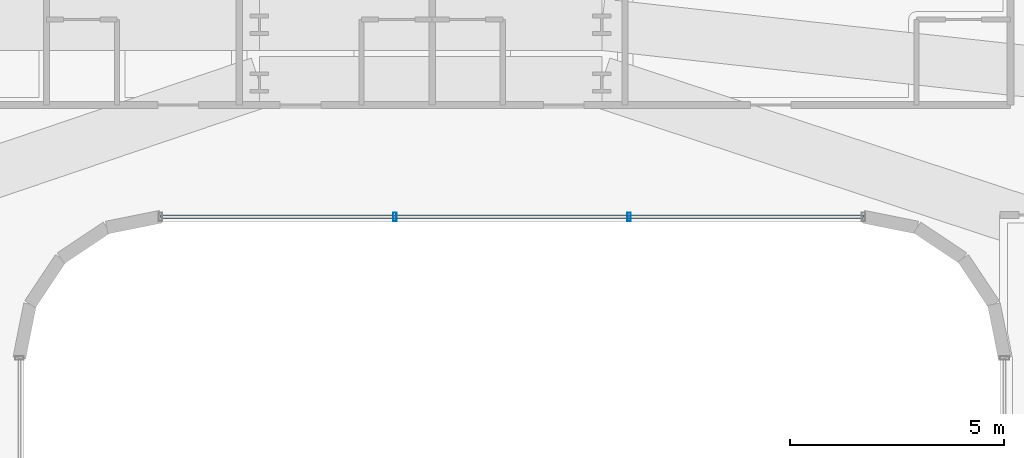
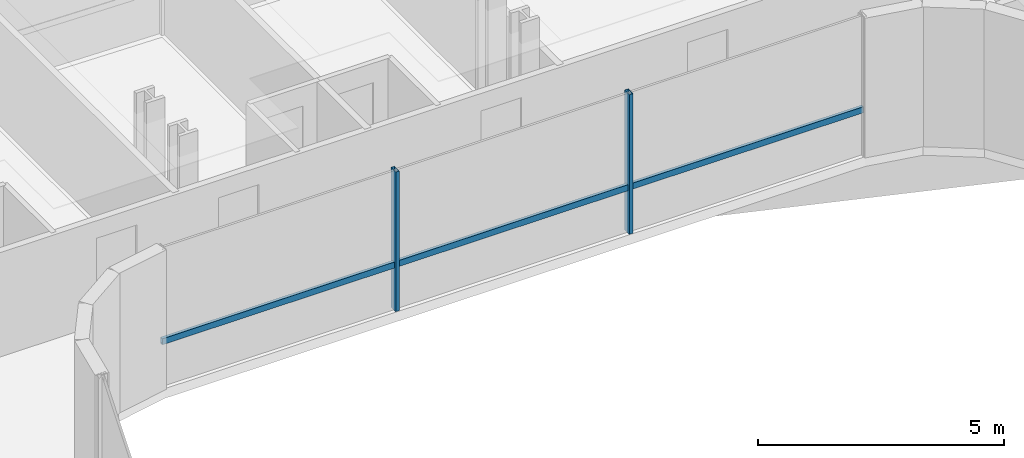
# One storey, part 18 of 50: 3 members, 1 element without a shape of its own.
"""IFC4 building model written with IfcOpenShell, lengths in metres."""

import ifcopenshell
import ifcopenshell.guid

model = None  # the IFC model being written
_history = None  # IfcOwnerHistory: only IFC2X3 demands one
_inside = {}  # id of a spatial element -> (the spatial element, [elements in it])
_under = {}  # id of a project, library or spatial element -> (it, [spatial elements below it])
_declared = {}  # id of a project -> (the project, [libraries it declares])
_typed = {}  # id of a type object -> (the type object, [elements of that type])
_made_of = {}  # id of a material, layer set ... -> (it, [elements and type objects made of it])


def new_model(schema):
    """Start an empty IFC model of exactly this schema.

    Asked for "IFC4X3", IfcOpenShell would pick the latest addendum, in which some entities
    have other attributes; the version numbers below select the first issue.
    IFC2X3 requires an IfcOwnerHistory on every rooted entity: one is made here for all.
    """
    global model, _history
    if schema == "IFC4X3":
        model = ifcopenshell.file(schema_version=(4, 3, 0, 0))
    else:
        model = ifcopenshell.file(schema=schema)
    _inside.clear()
    _under.clear()
    _declared.clear()
    _typed.clear()
    _made_of.clear()
    _history = None
    if model.schema == "IFC2X3":
        org = make("IfcOrganization", Name="unknown")
        user = make(
            "IfcPersonAndOrganization",
            ThePerson=make("IfcPerson", FamilyName="unknown"),
            TheOrganization=org,
        )
        app = make(
            "IfcApplication",
            ApplicationDeveloper=org,
            Version="unknown",
            ApplicationFullName="unknown",
            ApplicationIdentifier="unknown",
        )
        _history = make(
            "IfcOwnerHistory",
            OwningUser=user,
            OwningApplication=app,
            ChangeAction="ADDED",
            CreationDate=0,
        )
    return model


def make(cls, **values):
    """One entity of the class cls with the attributes given. An attribute that is None is left unset."""
    return model.create_entity(
        cls, **{name: value for name, value in values.items() if value is not None}
    )


def rooted(cls, **values):
    """An entity with a GlobalId (a new one), such as an element, a storey or a relation."""
    return make(cls, GlobalId=ifcopenshell.guid.new(), OwnerHistory=_history, **values)


def si_unit(unit_type, name, prefix=None):
    """IfcSIUnit, for example si_unit("LENGTHUNIT", "METRE", prefix="MILLI")."""
    return make("IfcSIUnit", UnitType=unit_type, Prefix=prefix, Name=name)


def assignment(units):
    """IfcUnitAssignment: the units of a project."""
    return None if units is None else make("IfcUnitAssignment", Units=units)


def point(xyz):
    """IfcCartesianPoint."""
    return None if xyz is None else make("IfcCartesianPoint", Coordinates=xyz)


def direction(xyz):
    """IfcDirection."""
    return None if xyz is None else make("IfcDirection", DirectionRatios=xyz)


def frame(location, z_axis=None, x_axis=None):
    """IfcAxis2Placement3D, a coordinate frame: its origin and axes. An axis left out is left unset."""
    return make(
        "IfcAxis2Placement3D",
        Location=point(location),
        Axis=direction(z_axis),
        RefDirection=direction(x_axis),
    )


def frame_2d(location, x_axis=None):
    """IfcAxis2Placement2D, a coordinate frame in the plane: its origin and x axis."""
    return make(
        "IfcAxis2Placement2D", Location=point(location), RefDirection=direction(x_axis)
    )


def origin():
    """The frame at (0, 0, 0) with its axes left unset."""
    return frame((0.0, 0.0, 0.0))


def origin_2d():
    """The frame at (0, 0) in the plane with its x axis left unset."""
    return frame_2d((0.0, 0.0))


def place(relative_to, where):
    """IfcLocalPlacement: puts the frame where relative to a parent placement (None: the world)."""
    return make(
        "IfcLocalPlacement", PlacementRelTo=relative_to, RelativePlacement=where
    )


def context(
    kind, dimensions, precision=None, world=None, true_north=None, identifier=None
):
    """IfcGeometricRepresentationContext, for example the 3D "Model" context."""
    return make(
        "IfcGeometricRepresentationContext",
        ContextIdentifier=identifier,
        ContextType=kind,
        CoordinateSpaceDimension=dimensions,
        Precision=precision,
        WorldCoordinateSystem=world,
        TrueNorth=true_north,
    )


def subcontext(parent, identifier, kind, view, scale=None):
    """IfcGeometricRepresentationSubContext, for example "Body" below "Model"."""
    return make(
        "IfcGeometricRepresentationSubContext",
        ContextIdentifier=identifier,
        ContextType=kind,
        ParentContext=parent,
        TargetScale=scale,
        TargetView=view,
    )


def project(units=None, contexts=None):
    """IfcProject with its units and contexts."""
    return rooted(
        "IfcProject",
        Name="project",
        RepresentationContexts=contexts,
        UnitsInContext=assignment(units),
    )


def spatial(cls, under=None, at=None, **own):
    """A site, building, storey or space (cls), placed at a placement, below another one or the project."""
    s = rooted(cls, ObjectPlacement=at, **own)
    if under is not None:
        _under.setdefault(under.id(), (under, []))[1].append(s)
    return s


def profile(cls, at=None, kind="AREA", **sizes):
    """A parametric profile (cls). Its sizes go by their IFC names, for example OverallWidth=200.0."""
    return make(cls, ProfileType=kind, Position=at, **sizes)


def hollow_rectangle(**sizes):
    """IfcRectangleHollowProfileDef."""
    return profile("IfcRectangleHollowProfileDef", **sizes)


def extrude(swept, where, along, depth):
    """IfcExtrudedAreaSolid: the profile swept, set in the frame where, extruded along a direction by depth."""
    return make(
        "IfcExtrudedAreaSolid",
        SweptArea=swept,
        Position=where,
        ExtrudedDirection=direction(along),
        Depth=depth,
    )


def shape(context_of_items, identifier, shape_type, items):
    """IfcShapeRepresentation: the items that make up one representation, for example the "Body"."""
    return make(
        "IfcShapeRepresentation",
        ContextOfItems=context_of_items,
        RepresentationIdentifier=identifier,
        RepresentationType=shape_type,
        Items=items,
    )


def source(mapping_origin, context_of_items, identifier, shape_type, items):
    """IfcRepresentationMap: a shape defined once, which mapped items show again and again."""
    return make(
        "IfcRepresentationMap",
        MappingOrigin=mapping_origin,
        MappedRepresentation=shape(context_of_items, identifier, shape_type, items),
    )


def transform(
    local_origin,
    x_axis=None,
    y_axis=None,
    z_axis=None,
    scale=None,
    scale2=None,
    scale3=None,
    uniform=True,
):
    """IfcCartesianTransformationOperator3D, or its non-uniform kind. x_axis, y_axis, z_axis: its Axis1, 2, 3."""
    if uniform:
        return make(
            "IfcCartesianTransformationOperator3D",
            Axis1=direction(x_axis),
            Axis2=direction(y_axis),
            LocalOrigin=point(local_origin),
            Scale=scale,
            Axis3=direction(z_axis),
        )
    return make(
        "IfcCartesianTransformationOperator3DnonUniform",
        Axis1=direction(x_axis),
        Axis2=direction(y_axis),
        LocalOrigin=point(local_origin),
        Scale=scale,
        Axis3=direction(z_axis),
        Scale2=scale2,
        Scale3=scale3,
    )


def mapped(mapping_source, mapping_target):
    """IfcMappedItem: shows the shape of a source again, moved by a transform."""
    return make(
        "IfcMappedItem", MappingSource=mapping_source, MappingTarget=mapping_target
    )


def material(Name=None, Category=None):
    """IfcMaterial."""
    return make("IfcMaterial", Name=Name, Category=Category)


def material_profile(
    of_material, cross_section, Name=None, Category=None, Priority=None
):
    """IfcMaterialProfile: a cross section and its material."""
    return make(
        "IfcMaterialProfile",
        Name=Name,
        Material=of_material,
        Profile=cross_section,
        Priority=Priority,
        Category=Category,
    )


def profile_set(profiles, Name=None, composite=None):
    """IfcMaterialProfileSet."""
    return make(
        "IfcMaterialProfileSet",
        Name=Name,
        MaterialProfiles=profiles,
        CompositeProfile=composite,
    )


def made_of(thing, what):
    """Note that an element or type object is made of a material, layer set ...; save() writes the relation."""
    if what is not None:
        _made_of.setdefault(what.id(), (what, []))[1].append(thing)
    return thing


def type_object(cls, material=None, **own):
    """A type object (cls), such as IfcWallType, which elements share."""
    return made_of(rooted(cls, **own), material)


def element(
    cls,
    number,
    at=None,
    inside=None,
    cuts=None,
    type_object=None,
    material=None,
    context=None,
    identifier="Body",
    shape_type=None,
    held_by="IfcProductDefinitionShape",
    body=None,
    shapes=None,
    **own,
):
    """One element of the class cls, such as IfcWall. Its Tag is "e" and its number.

    at: its placement. inside: the storey or other place that contains it. cuts: it is an
    opening in that element (IfcRelVoidsElement). A single representation is given by context,
    identifier, shape_type and body (its items); several are given by shapes. held_by: the class
    of the entity that holds the representations. save() writes the other relations.
    """
    e = rooted(cls, Tag="e%d" % number, ObjectPlacement=at, **own)
    if body is not None:
        shapes = [shape(context, identifier, shape_type, body)]
    if shapes is not None:
        e.Representation = make(held_by, Representations=shapes)
    if inside is not None:
        _inside.setdefault(inside.id(), (inside, []))[1].append(e)
    if cuts is not None:
        rooted(
            "IfcRelVoidsElement", RelatingBuildingElement=cuts, RelatedOpeningElement=e
        )
    if type_object is not None:
        _typed.setdefault(type_object.id(), (type_object, []))[1].append(e)
    return made_of(e, material)


def aggregate(whole, parts):
    """IfcRelAggregates: a whole, such as a stair, and the parts it consists of."""
    return rooted("IfcRelAggregates", RelatingObject=whole, RelatedObjects=parts)


def save(model, path):
    """Write the relations noted so far, then the file.

    IfcRelAggregates (storeys below a building ...), IfcRelContainedInSpatialStructure (elements
    in a storey), IfcRelDefinesByType, IfcRelAssociatesMaterial and IfcRelDeclares: one each for
    every whole, place, type object, material and project.
    """
    for whole, parts in _under.values():
        aggregate(whole, parts)
    for where, things in _inside.values():
        rooted(
            "IfcRelContainedInSpatialStructure",
            RelatedElements=things,
            RelatingStructure=where,
        )
    for kind, things in _typed.values():
        rooted("IfcRelDefinesByType", RelatedObjects=things, RelatingType=kind)
    for what, things in _made_of.values():
        rooted("IfcRelAssociatesMaterial", RelatedObjects=things, RelatingMaterial=what)
    for by, libraries in _declared.values():
        rooted("IfcRelDeclares", RelatingContext=by, RelatedDefinitions=libraries)
    model.write(path)


model = new_model("IFC4")

# Units and contexts
model_context = context("Model", 3, precision=1e-05, world=origin(), true_north=direction((0.0, 1.0)))
body_context = subcontext(model_context, "Body", "Model", "MODEL_VIEW")
ifc_project = project(units=[si_unit("LENGTHUNIT", "METRE"), si_unit("AREAUNIT", "SQUARE_METRE"), si_unit("VOLUMEUNIT", "CUBIC_METRE"), si_unit("PLANEANGLEUNIT", "RADIAN"), si_unit("MASSUNIT", "GRAM", prefix="KILO")], contexts=[model_context])

# Site, building, storey
site_placement = place(None, origin())
site = spatial("IfcSite", under=ifc_project, at=site_placement, CompositionType="ELEMENT")
building_placement = place(site_placement, origin())
building = spatial("IfcBuilding", under=site, at=building_placement, Name="Valdorenza Pilgrim Sanctuary Tower", CompositionType="ELEMENT")
storey_placement = place(building_placement, frame((0.0, 0.0, 26.0)))
storey = spatial("IfcBuildingStorey", under=building, at=storey_placement, Name="L05", CompositionType="ELEMENT", Elevation=26.0)

# Curtain wall, members
ifc_material_1 = material(Name="Curtain-wall IGU glazing", Category="glass")
curtain_wall_type = type_object("IfcCurtainWallType", Name="CW-SYS-02", PredefinedType="NOTDEFINED", material=ifc_material_1)
curtain_wall_placement = place(storey_placement, origin())
curtain_wall = element("IfcCurtainWall", 1, at=curtain_wall_placement, inside=storey, type_object=curtain_wall_type, Name="L05 Curtain Wall CW-L05-1-36", PredefinedType="NOTDEFINED")
ifc_material_2 = material(Name="Anodised aluminium AW-6060", Category="aluminium")
ifc_material_profile_1 = material_profile(ifc_material_2, hollow_rectangle(XDim=0.0849609375, YDim=0.199951171875, WallThickness=0.0048828125, at=origin_2d()), Name="ALU-M 200x85x5")
ifc_profile_set_1 = profile_set([ifc_material_profile_1], Name="Anodised aluminium AW-6060")
member_type_1 = type_object("IfcMemberType", Name="CW-MUL-02", PredefinedType="MULLION", material=ifc_profile_set_1)
shared_shape_1 = source(origin(), body_context, "Body", "SweptSolid", [
    extrude(hollow_rectangle(XDim=0.0849609375, YDim=0.199951171875, WallThickness=0.0048828125, at=origin_2d()), origin(), (0.0, 0.0, 1.0), 3.4599609375),
])
member_1_placement = place(storey_placement, frame((4.636962890625, 10.31005859375, 0.0), z_axis=(0.0, 0.0, 1.0), x_axis=(-1.0, 0.0, 0.0)))
member_1 = element("IfcMember", 2, at=member_1_placement, type_object=member_type_1, Name="CW-L05-1-36 Mullion 2", PredefinedType="MULLION", context=body_context, shape_type="MappedRepresentation", body=[
    mapped(shared_shape_1, transform((0.0, 0.0, 0.0), x_axis=(1.0, 0.0, 0.0), y_axis=(0.0, 1.0, 0.0), z_axis=(0.0, 0.0, 1.0), scale=1.0)),
])
member_2_placement = place(storey_placement, frame((-0.8369140625, 10.31005859375, 0.0), z_axis=(0.0, 0.0, 1.0), x_axis=(-1.0, 0.0, 0.0)))
member_2 = element("IfcMember", 3, at=member_2_placement, type_object=member_type_1, Name="CW-L05-1-36 Mullion 3", PredefinedType="MULLION", context=body_context, shape_type="MappedRepresentation", body=[
    mapped(shared_shape_1, transform((0.0, 0.0, 0.0), x_axis=(1.0, 0.0, 0.0), y_axis=(0.0, 1.0, 0.0), z_axis=(0.0, 0.0, 1.0), scale=1.0)),
])
ifc_material_profile_2 = material_profile(ifc_material_2, hollow_rectangle(XDim=0.074951171875, YDim=0.14990234375, WallThickness=0.00390625, at=origin_2d()), Name="ALU-T 150x75x4")
ifc_profile_set_2 = profile_set([ifc_material_profile_2], Name="Anodised aluminium AW-6060")
member_type_2 = type_object("IfcMemberType", Name="CW-TRN-02", PredefinedType="USERDEFINED", material=ifc_profile_set_2)
shared_shape_2 = source(origin(), body_context, "Body", "SweptSolid", [
    extrude(hollow_rectangle(XDim=0.074951171875, YDim=0.14990234375, WallThickness=0.00390625, at=origin_2d()), origin(), (0.0, 0.0, 1.0), 16.421630859375),
])
member_3_placement = place(storey_placement, frame((10.11083984375, 10.31005859375, 1.1201171875), z_axis=(-1.0, 0.0, 0.0), x_axis=(0.0, -1.0, 0.0)))
member_3 = element("IfcMember", 4, at=member_3_placement, type_object=member_type_2, Name="CW-L05-1-36 Transom 1", ObjectType="TRANSOM", PredefinedType="USERDEFINED", context=body_context, shape_type="MappedRepresentation", body=[
    mapped(shared_shape_2, transform((0.0, 0.0, 0.0), x_axis=(1.0, 0.0, 0.0), y_axis=(0.0, 1.0, 0.0), z_axis=(0.0, 0.0, 1.0), scale=1.0)),
])
aggregate(curtain_wall, [member_1, member_2, member_3])

save(model, "model.ifc")
